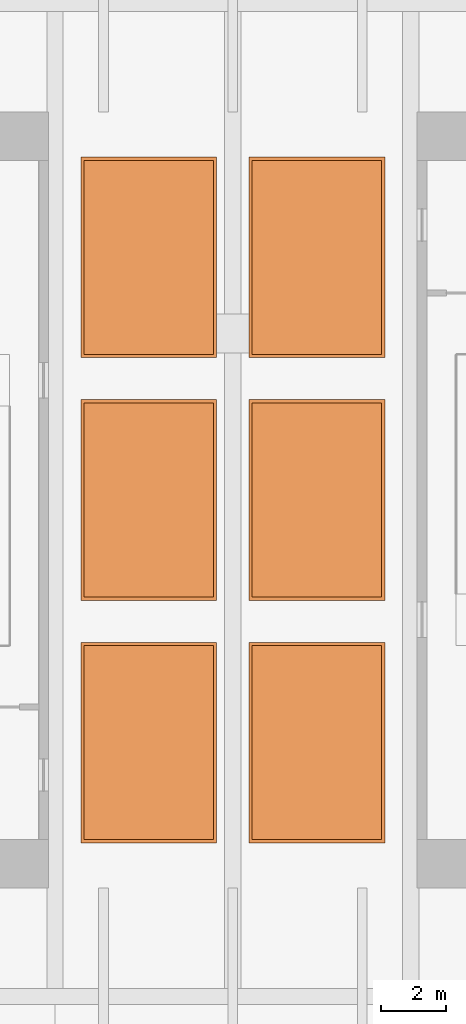
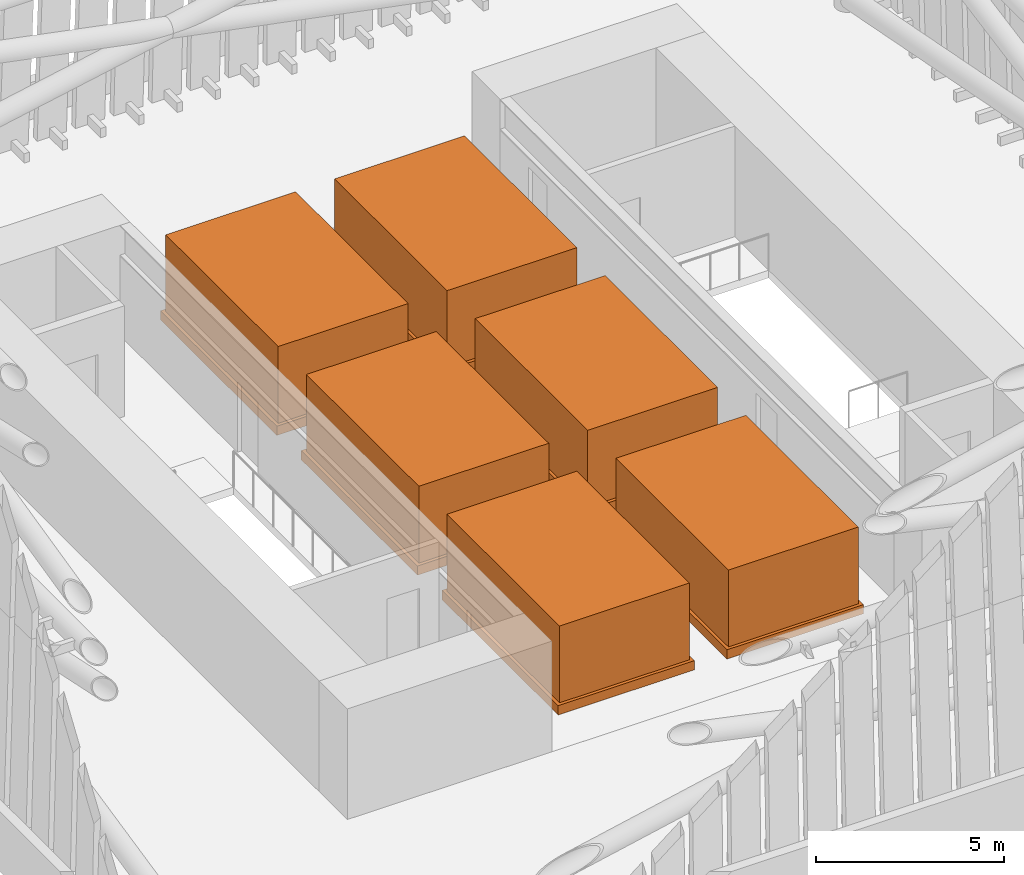
# One storey, part 13 of 13: 12 proxies.
"""IFC4 building model written with IfcOpenShell, lengths in metres."""

from ifc_helpers import new_model, si_unit, direction, frame, origin, origin_2d, place, context, subcontext, project, spatial, rectangle, extrude, element, save


model = new_model("IFC4")

# Units and contexts
model_context = context("Model", 3, precision=1e-05, world=origin(), true_north=direction((0.0, 1.0)))
body_context = subcontext(model_context, "Body", "Model", "MODEL_VIEW")
ifc_project = project(units=[si_unit("LENGTHUNIT", "METRE"), si_unit("AREAUNIT", "SQUARE_METRE"), si_unit("VOLUMEUNIT", "CUBIC_METRE"), si_unit("PLANEANGLEUNIT", "RADIAN"), si_unit("MASSUNIT", "GRAM", prefix="KILO")], contexts=[model_context])

# Site, building, storey
site_placement = place(None, origin())
site = spatial("IfcSite", under=ifc_project, at=site_placement, CompositionType="ELEMENT")
building_placement = place(site_placement, origin())
building = spatial("IfcBuilding", under=site, at=building_placement, Name="Peilmerk Tower", CompositionType="ELEMENT")
storey_placement = place(building_placement, frame((0.0, 0.0, 307.800048828125)))
storey = spatial("IfcBuildingStorey", under=building, at=storey_placement, Name="RF", CompositionType="ELEMENT", Elevation=307.800048828125)

# Proxies
proxy_1_placement = place(storey_placement, frame((-2.60009765625, -7.5, 0.0), z_axis=(0.0, 0.0, 1.0), x_axis=(1.0, 0.0, 0.0)))
element("IfcBuildingElementProxy", 1, at=proxy_1_placement, inside=storey, Name="Roof plant plinth 1", PredefinedType="NOTDEFINED", context=body_context, shape_type="SweptSolid", body=[
    extrude(rectangle(XDim=4.199951171875, YDim=6.199951171875, at=origin_2d()), origin(), (0.0, 0.0, 1.0), 0.300048828125),
])
proxy_2_placement = place(storey_placement, frame((-2.60009765625, -7.5, 0.300048828125), z_axis=(0.0, 0.0, 1.0), x_axis=(1.0, 0.0, 0.0)))
element("IfcBuildingElementProxy", 2, at=proxy_2_placement, inside=storey, Name="Roof plant dry cooler bank 1", PredefinedType="NOTDEFINED", context=body_context, shape_type="SweptSolid", body=[
    extrude(rectangle(XDim=4.0, YDim=6.0, at=origin_2d()), origin(), (0.0, 0.0, 1.0), 2.5),
])
proxy_3_placement = place(storey_placement, frame((-2.60009765625, 0.0, 0.0), z_axis=(0.0, 0.0, 1.0), x_axis=(1.0, 0.0, 0.0)))
element("IfcBuildingElementProxy", 3, at=proxy_3_placement, inside=storey, Name="Roof plant plinth 2", PredefinedType="NOTDEFINED", context=body_context, shape_type="SweptSolid", body=[
    extrude(rectangle(XDim=4.199951171875, YDim=6.199951171875, at=origin_2d()), origin(), (0.0, 0.0, 1.0), 0.300048828125),
])
proxy_4_placement = place(storey_placement, frame((-2.60009765625, 0.0, 0.300048828125), z_axis=(0.0, 0.0, 1.0), x_axis=(1.0, 0.0, 0.0)))
element("IfcBuildingElementProxy", 4, at=proxy_4_placement, inside=storey, Name="Roof plant dry cooler bank 2", PredefinedType="NOTDEFINED", context=body_context, shape_type="SweptSolid", body=[
    extrude(rectangle(XDim=4.0, YDim=6.0, at=origin_2d()), origin(), (0.0, 0.0, 1.0), 2.5),
])
proxy_5_placement = place(storey_placement, frame((-2.60009765625, 7.5, 0.0), z_axis=(0.0, 0.0, 1.0), x_axis=(1.0, 0.0, 0.0)))
element("IfcBuildingElementProxy", 5, at=proxy_5_placement, inside=storey, Name="Roof plant plinth 3", PredefinedType="NOTDEFINED", context=body_context, shape_type="SweptSolid", body=[
    extrude(rectangle(XDim=4.199951171875, YDim=6.199951171875, at=origin_2d()), origin(), (0.0, 0.0, 1.0), 0.300048828125),
])
proxy_6_placement = place(storey_placement, frame((-2.60009765625, 7.5, 0.300048828125), z_axis=(0.0, 0.0, 1.0), x_axis=(1.0, 0.0, 0.0)))
element("IfcBuildingElementProxy", 6, at=proxy_6_placement, inside=storey, Name="Roof plant dry cooler bank 3", PredefinedType="NOTDEFINED", context=body_context, shape_type="SweptSolid", body=[
    extrude(rectangle(XDim=4.0, YDim=6.0, at=origin_2d()), origin(), (0.0, 0.0, 1.0), 2.5),
])
proxy_7_placement = place(storey_placement, frame((2.60009765625, -7.5, 0.0), z_axis=(0.0, 0.0, 1.0), x_axis=(1.0, 0.0, 0.0)))
element("IfcBuildingElementProxy", 7, at=proxy_7_placement, inside=storey, Name="Roof plant plinth 4", PredefinedType="NOTDEFINED", context=body_context, shape_type="SweptSolid", body=[
    extrude(rectangle(XDim=4.199951171875, YDim=6.199951171875, at=origin_2d()), origin(), (0.0, 0.0, 1.0), 0.300048828125),
])
proxy_8_placement = place(storey_placement, frame((2.60009765625, -7.5, 0.300048828125), z_axis=(0.0, 0.0, 1.0), x_axis=(1.0, 0.0, 0.0)))
element("IfcBuildingElementProxy", 8, at=proxy_8_placement, inside=storey, Name="Roof plant dry cooler bank 4", PredefinedType="NOTDEFINED", context=body_context, shape_type="SweptSolid", body=[
    extrude(rectangle(XDim=4.0, YDim=6.0, at=origin_2d()), origin(), (0.0, 0.0, 1.0), 2.5),
])
proxy_9_placement = place(storey_placement, frame((2.60009765625, 0.0, 0.0), z_axis=(0.0, 0.0, 1.0), x_axis=(1.0, 0.0, 0.0)))
element("IfcBuildingElementProxy", 9, at=proxy_9_placement, inside=storey, Name="Roof plant plinth 5", PredefinedType="NOTDEFINED", context=body_context, shape_type="SweptSolid", body=[
    extrude(rectangle(XDim=4.199951171875, YDim=6.199951171875, at=origin_2d()), origin(), (0.0, 0.0, 1.0), 0.300048828125),
])
proxy_10_placement = place(storey_placement, frame((2.60009765625, 0.0, 0.300048828125), z_axis=(0.0, 0.0, 1.0), x_axis=(1.0, 0.0, 0.0)))
element("IfcBuildingElementProxy", 10, at=proxy_10_placement, inside=storey, Name="Roof plant dry cooler bank 5", PredefinedType="NOTDEFINED", context=body_context, shape_type="SweptSolid", body=[
    extrude(rectangle(XDim=4.0, YDim=6.0, at=origin_2d()), origin(), (0.0, 0.0, 1.0), 2.5),
])
proxy_11_placement = place(storey_placement, frame((2.60009765625, 7.5, 0.0), z_axis=(0.0, 0.0, 1.0), x_axis=(1.0, 0.0, 0.0)))
element("IfcBuildingElementProxy", 11, at=proxy_11_placement, inside=storey, Name="Roof plant plinth 6", PredefinedType="NOTDEFINED", context=body_context, shape_type="SweptSolid", body=[
    extrude(rectangle(XDim=4.199951171875, YDim=6.199951171875, at=origin_2d()), origin(), (0.0, 0.0, 1.0), 0.300048828125),
])
proxy_12_placement = place(storey_placement, frame((2.60009765625, 7.5, 0.300048828125), z_axis=(0.0, 0.0, 1.0), x_axis=(1.0, 0.0, 0.0)))
element("IfcBuildingElementProxy", 12, at=proxy_12_placement, inside=storey, Name="Roof plant dry cooler bank 6", PredefinedType="NOTDEFINED", context=body_context, shape_type="SweptSolid", body=[
    extrude(rectangle(XDim=4.0, YDim=6.0, at=origin_2d()), origin(), (0.0, 0.0, 1.0), 2.5),
])

save(model, "model.ifc")
